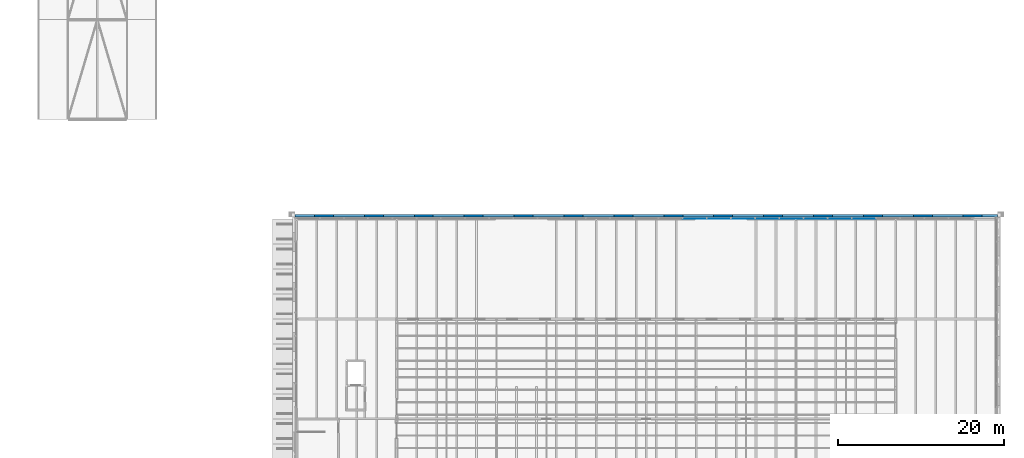
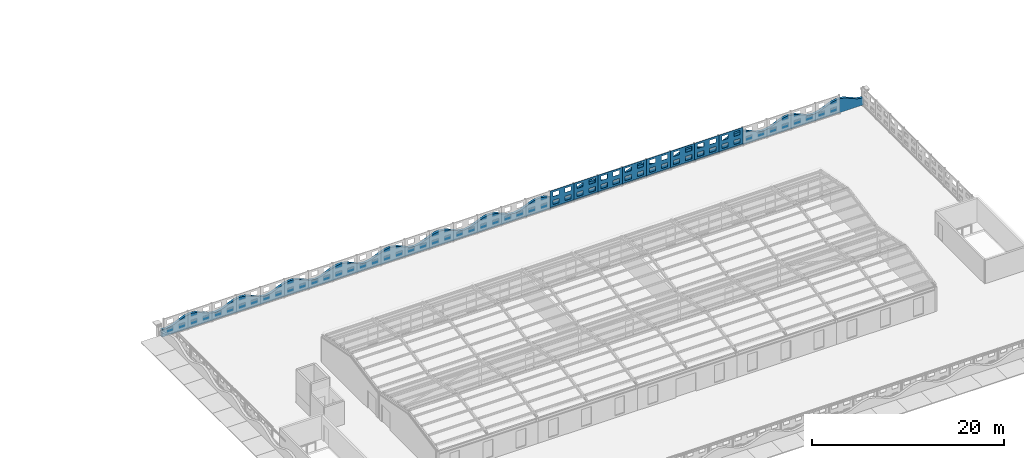
# One storey, part 61 of 91: 9 walls, 32 openings.
"""IFC4 building model written with IfcOpenShell, lengths in metres."""

import ifcopenshell
import ifcopenshell.guid

model = None  # the IFC model being written
_history = None  # IfcOwnerHistory: only IFC2X3 demands one
_inside = {}  # id of a spatial element -> (the spatial element, [elements in it])
_under = {}  # id of a project, library or spatial element -> (it, [spatial elements below it])
_declared = {}  # id of a project -> (the project, [libraries it declares])
_typed = {}  # id of a type object -> (the type object, [elements of that type])
_made_of = {}  # id of a material, layer set ... -> (it, [elements and type objects made of it])


def new_model(schema):
    """Start an empty IFC model of exactly this schema.

    Asked for "IFC4X3", IfcOpenShell would pick the latest addendum, in which some entities
    have other attributes; the version numbers below select the first issue.
    IFC2X3 requires an IfcOwnerHistory on every rooted entity: one is made here for all.
    """
    global model, _history
    if schema == "IFC4X3":
        model = ifcopenshell.file(schema_version=(4, 3, 0, 0))
    else:
        model = ifcopenshell.file(schema=schema)
    _inside.clear()
    _under.clear()
    _declared.clear()
    _typed.clear()
    _made_of.clear()
    _history = None
    if model.schema == "IFC2X3":
        org = make("IfcOrganization", Name="unknown")
        user = make(
            "IfcPersonAndOrganization",
            ThePerson=make("IfcPerson", FamilyName="unknown"),
            TheOrganization=org,
        )
        app = make(
            "IfcApplication",
            ApplicationDeveloper=org,
            Version="unknown",
            ApplicationFullName="unknown",
            ApplicationIdentifier="unknown",
        )
        _history = make(
            "IfcOwnerHistory",
            OwningUser=user,
            OwningApplication=app,
            ChangeAction="ADDED",
            CreationDate=0,
        )
    return model


def make(cls, **values):
    """One entity of the class cls with the attributes given. An attribute that is None is left unset."""
    return model.create_entity(
        cls, **{name: value for name, value in values.items() if value is not None}
    )


def rooted(cls, **values):
    """An entity with a GlobalId (a new one), such as an element, a storey or a relation."""
    return make(cls, GlobalId=ifcopenshell.guid.new(), OwnerHistory=_history, **values)


def si_unit(unit_type, name, prefix=None):
    """IfcSIUnit, for example si_unit("LENGTHUNIT", "METRE", prefix="MILLI")."""
    return make("IfcSIUnit", UnitType=unit_type, Prefix=prefix, Name=name)


def assignment(units):
    """IfcUnitAssignment: the units of a project."""
    return None if units is None else make("IfcUnitAssignment", Units=units)


def point(xyz):
    """IfcCartesianPoint."""
    return None if xyz is None else make("IfcCartesianPoint", Coordinates=xyz)


def direction(xyz):
    """IfcDirection."""
    return None if xyz is None else make("IfcDirection", DirectionRatios=xyz)


def frame(location, z_axis=None, x_axis=None):
    """IfcAxis2Placement3D, a coordinate frame: its origin and axes. An axis left out is left unset."""
    return make(
        "IfcAxis2Placement3D",
        Location=point(location),
        Axis=direction(z_axis),
        RefDirection=direction(x_axis),
    )


def frame_2d(location, x_axis=None):
    """IfcAxis2Placement2D, a coordinate frame in the plane: its origin and x axis."""
    return make(
        "IfcAxis2Placement2D", Location=point(location), RefDirection=direction(x_axis)
    )


def origin():
    """The frame at (0, 0, 0) with its axes left unset."""
    return frame((0.0, 0.0, 0.0))


def place(relative_to, where):
    """IfcLocalPlacement: puts the frame where relative to a parent placement (None: the world)."""
    return make(
        "IfcLocalPlacement", PlacementRelTo=relative_to, RelativePlacement=where
    )


def context(
    kind, dimensions, precision=None, world=None, true_north=None, identifier=None
):
    """IfcGeometricRepresentationContext, for example the 3D "Model" context."""
    return make(
        "IfcGeometricRepresentationContext",
        ContextIdentifier=identifier,
        ContextType=kind,
        CoordinateSpaceDimension=dimensions,
        Precision=precision,
        WorldCoordinateSystem=world,
        TrueNorth=true_north,
    )


def subcontext(parent, identifier, kind, view, scale=None):
    """IfcGeometricRepresentationSubContext, for example "Body" below "Model"."""
    return make(
        "IfcGeometricRepresentationSubContext",
        ContextIdentifier=identifier,
        ContextType=kind,
        ParentContext=parent,
        TargetScale=scale,
        TargetView=view,
    )


def project(units=None, contexts=None):
    """IfcProject with its units and contexts."""
    return rooted(
        "IfcProject",
        Name="project",
        RepresentationContexts=contexts,
        UnitsInContext=assignment(units),
    )


def spatial(cls, under=None, at=None, **own):
    """A site, building, storey or space (cls), placed at a placement, below another one or the project."""
    s = rooted(cls, ObjectPlacement=at, **own)
    if under is not None:
        _under.setdefault(under.id(), (under, []))[1].append(s)
    return s


def polyline(points):
    """IfcPolyline through the points."""
    return make("IfcPolyline", Points=[point(p) for p in points])


def profile(cls, at=None, kind="AREA", **sizes):
    """A parametric profile (cls). Its sizes go by their IFC names, for example OverallWidth=200.0."""
    return make(cls, ProfileType=kind, Position=at, **sizes)


def rectangle(**sizes):
    """IfcRectangleProfileDef."""
    return profile("IfcRectangleProfileDef", **sizes)


def outline(outer, holes=None, kind="AREA"):
    """IfcArbitraryClosedProfileDef: a profile drawn as a closed curve; with holes, ...WithVoids."""
    if holes is None:
        return make("IfcArbitraryClosedProfileDef", ProfileType=kind, OuterCurve=outer)
    return make(
        "IfcArbitraryProfileDefWithVoids",
        ProfileType=kind,
        OuterCurve=outer,
        InnerCurves=holes,
    )


def extrude(swept, where, along, depth):
    """IfcExtrudedAreaSolid: the profile swept, set in the frame where, extruded along a direction by depth."""
    return make(
        "IfcExtrudedAreaSolid",
        SweptArea=swept,
        Position=where,
        ExtrudedDirection=direction(along),
        Depth=depth,
    )


def shape(context_of_items, identifier, shape_type, items):
    """IfcShapeRepresentation: the items that make up one representation, for example the "Body"."""
    return make(
        "IfcShapeRepresentation",
        ContextOfItems=context_of_items,
        RepresentationIdentifier=identifier,
        RepresentationType=shape_type,
        Items=items,
    )


def material(Name=None, Category=None):
    """IfcMaterial."""
    return make("IfcMaterial", Name=Name, Category=Category)


def layer(
    of_material, thickness, ventilated=None, Name=None, Category=None, Priority=None
):
    """IfcMaterialLayer: one layer of a wall or slab, of a material (None: an air gap)."""
    return make(
        "IfcMaterialLayer",
        Material=of_material,
        LayerThickness=thickness,
        IsVentilated=ventilated,
        Name=Name,
        Category=Category,
        Priority=Priority,
    )


def layer_set(layers, Name=None):
    """IfcMaterialLayerSet."""
    return make("IfcMaterialLayerSet", MaterialLayers=layers, LayerSetName=Name)


def made_of(thing, what):
    """Note that an element or type object is made of a material, layer set ...; save() writes the relation."""
    if what is not None:
        _made_of.setdefault(what.id(), (what, []))[1].append(thing)
    return thing


def type_object(cls, material=None, **own):
    """A type object (cls), such as IfcWallType, which elements share."""
    return made_of(rooted(cls, **own), material)


def element(
    cls,
    number,
    at=None,
    inside=None,
    cuts=None,
    type_object=None,
    material=None,
    context=None,
    identifier="Body",
    shape_type=None,
    held_by="IfcProductDefinitionShape",
    body=None,
    shapes=None,
    **own,
):
    """One element of the class cls, such as IfcWall. Its Tag is "e" and its number.

    at: its placement. inside: the storey or other place that contains it. cuts: it is an
    opening in that element (IfcRelVoidsElement). A single representation is given by context,
    identifier, shape_type and body (its items); several are given by shapes. held_by: the class
    of the entity that holds the representations. save() writes the other relations.
    """
    e = rooted(cls, Tag="e%d" % number, ObjectPlacement=at, **own)
    if body is not None:
        shapes = [shape(context, identifier, shape_type, body)]
    if shapes is not None:
        e.Representation = make(held_by, Representations=shapes)
    if inside is not None:
        _inside.setdefault(inside.id(), (inside, []))[1].append(e)
    if cuts is not None:
        rooted(
            "IfcRelVoidsElement", RelatingBuildingElement=cuts, RelatedOpeningElement=e
        )
    if type_object is not None:
        _typed.setdefault(type_object.id(), (type_object, []))[1].append(e)
    return made_of(e, material)


def aggregate(whole, parts):
    """IfcRelAggregates: a whole, such as a stair, and the parts it consists of."""
    return rooted("IfcRelAggregates", RelatingObject=whole, RelatedObjects=parts)


def save(model, path):
    """Write the relations noted so far, then the file.

    IfcRelAggregates (storeys below a building ...), IfcRelContainedInSpatialStructure (elements
    in a storey), IfcRelDefinesByType, IfcRelAssociatesMaterial and IfcRelDeclares: one each for
    every whole, place, type object, material and project.
    """
    for whole, parts in _under.values():
        aggregate(whole, parts)
    for where, things in _inside.values():
        rooted(
            "IfcRelContainedInSpatialStructure",
            RelatedElements=things,
            RelatingStructure=where,
        )
    for kind, things in _typed.values():
        rooted("IfcRelDefinesByType", RelatedObjects=things, RelatingType=kind)
    for what, things in _made_of.values():
        rooted("IfcRelAssociatesMaterial", RelatedObjects=things, RelatingMaterial=what)
    for by, libraries in _declared.values():
        rooted("IfcRelDeclares", RelatingContext=by, RelatedDefinitions=libraries)
    model.write(path)


model = new_model("IFC4")

# Units and contexts
model_context = context("Model", 3, precision=1e-05, world=origin(), true_north=direction((0.0, 1.0)))
body_context = subcontext(model_context, "Body", "Model", "MODEL_VIEW")
ifc_project = project(units=[si_unit("LENGTHUNIT", "METRE"), si_unit("AREAUNIT", "SQUARE_METRE"), si_unit("VOLUMEUNIT", "CUBIC_METRE"), si_unit("PLANEANGLEUNIT", "RADIAN"), si_unit("MASSUNIT", "GRAM", prefix="KILO")], contexts=[model_context])

# Site, building, storey
site_placement = place(None, origin())
site = spatial("IfcSite", under=ifc_project, at=site_placement, CompositionType="ELEMENT")
building_placement = place(site_placement, origin())
building = spatial("IfcBuilding", under=site, at=building_placement, Name="Ravi Spectrum Wholesale Market", CompositionType="ELEMENT")
storey_placement = place(building_placement, frame((0.0, 0.0, 16.199951171875)))
storey = spatial("IfcBuildingStorey", under=building, at=storey_placement, Name="ROOF PLANT LEVEL", CompositionType="ELEMENT", Elevation=16.199951171875)

# Wall
ifc_material_1 = material(Name="Facing brickwork", Category="masonry")
ifc_layer_1 = layer(ifc_material_1, 0.300048828125)
ifc_layer_set_1 = layer_set([ifc_layer_1], Name="Facing brickwork")
wall_type_1 = type_object("IfcWallType", Name="Brick parapet 300", PredefinedType="PARAPET", material=ifc_layer_set_1)
wall_1_placement = place(storey_placement, frame((282.25, 66.39990234375, 0.0), z_axis=(0.0, 0.0, 1.0), x_axis=(-1.0, 0.0, 0.0)))
element("IfcWall", 1, at=wall_1_placement, inside=storey, type_object=wall_type_1, Name="CS-WL-ROOF-003", PredefinedType="PARAPET", context=body_context, shape_type="SweptSolid", body=[
    extrude(outline(polyline([(0.0, 0.0), (84.5, 0.0), (84.5, 0.96044921875), (84.0, 0.900146484375), (83.25, 1.03173828125), (82.5, 1.35009765625), (81.75, 1.668212890625), (81.0, 1.800048828125), (80.25, 1.668212890625), (79.5, 1.35009765625), (78.75, 1.03173828125), (78.0, 0.900146484375), (77.25, 1.03173828125), (76.5, 1.35009765625), (75.75, 1.668212890625), (75.0, 1.800048828125), (74.25, 1.668212890625), (73.5, 1.35009765625), (72.75, 1.03173828125), (72.0, 0.900146484375), (71.25, 1.03173828125), (70.5, 1.35009765625), (69.75, 1.668212890625), (69.0, 1.800048828125), (68.25, 1.668212890625), (67.5, 1.35009765625), (66.75, 1.03173828125), (66.0, 0.900146484375), (65.25, 1.03173828125), (64.5, 1.35009765625), (63.75, 1.668212890625), (63.0, 1.800048828125), (62.25, 1.668212890625), (61.5, 1.35009765625), (60.75, 1.03173828125), (60.0, 0.900146484375), (59.25, 1.03173828125), (58.5, 1.35009765625), (57.75, 1.668212890625), (57.0, 1.800048828125), (56.25, 1.668212890625), (55.5, 1.35009765625), (54.75, 1.03173828125), (54.0, 0.900146484375), (53.25, 1.03173828125), (52.5, 1.35009765625), (51.75, 1.668212890625), (51.0, 1.800048828125), (50.25, 1.668212890625), (49.5, 1.35009765625), (48.75, 1.03173828125), (48.0, 0.900146484375), (47.25, 1.03173828125), (46.5, 1.35009765625), (45.75, 1.668212890625), (45.0, 1.800048828125), (44.25, 1.668212890625), (43.5, 1.35009765625), (42.75, 1.03173828125), (42.0, 0.900146484375), (41.25, 1.03173828125), (40.5, 1.35009765625), (39.75, 1.668212890625), (39.0, 1.800048828125), (38.25, 1.668212890625), (37.5, 1.35009765625), (36.75, 1.03173828125), (36.0, 0.900146484375), (35.25, 1.03173828125), (34.5, 1.35009765625), (33.75, 1.668212890625), (33.0, 1.800048828125), (32.25, 1.668212890625), (31.5, 1.35009765625), (30.75, 1.03173828125), (30.0, 0.900146484375), (29.25, 1.03173828125), (28.5, 1.35009765625), (27.75, 1.668212890625), (27.0, 1.800048828125), (26.25, 1.668212890625), (25.5, 1.35009765625), (24.75, 1.03173828125), (24.0, 0.900146484375), (23.25, 1.03173828125), (22.5, 1.35009765625), (21.75, 1.668212890625), (21.0, 1.800048828125), (20.25, 1.668212890625), (19.5, 1.35009765625), (18.75, 1.03173828125), (18.0, 0.900146484375), (17.25, 1.03173828125), (16.5, 1.35009765625), (15.75, 1.668212890625), (15.0, 1.800048828125), (14.25, 1.668212890625), (13.5, 1.35009765625), (12.75, 1.03173828125), (12.0, 0.900146484375), (11.25, 1.03173828125), (10.5, 1.35009765625), (9.75, 1.668212890625), (9.0, 1.800048828125), (8.25, 1.668212890625), (7.5, 1.35009765625), (6.75, 1.03173828125), (6.0, 0.900146484375), (5.25, 1.03173828125), (4.5, 1.35009765625), (3.75, 1.668212890625), (3.0, 1.800048828125), (2.25, 1.668212890625), (1.5, 1.35009765625), (0.75, 1.03173828125), (0.0, 0.900146484375), (0.0, 0.0)])), frame((0.0, 0.14990234375, 0.0), z_axis=(0.0, -1.0, 0.0), x_axis=(1.0, 0.0, 0.0)), (0.0, 0.0, 1.0), 0.300048828125),
])

# Wall, openings
ifc_material_2 = material(Name="Aluminium perforated plate", Category="aluminium")
ifc_layer_2 = layer(ifc_material_2, 0.030029296875)
ifc_layer_set_2 = layer_set([ifc_layer_2], Name="Aluminium perforated plate")
wall_type_2 = type_object("IfcWallType", Name="Perforated screen panel 30", PredefinedType="SOLIDWALL", material=ifc_layer_set_2)
wall_2_placement = place(storey_placement, frame((267.615478515625, 66.05078125, 0.300048828125), z_axis=(0.0, 0.0, 1.0), x_axis=(-1.0, 0.0, 0.0)))
wall_2 = element("IfcWall", 2, at=wall_2_placement, inside=storey, type_object=wall_type_2, Name="CS-WL-ROOF-070", PredefinedType="SOLIDWALL", context=body_context, shape_type="SweptSolid", body=[
    extrude(rectangle(XDim=2.90673828125, YDim=0.030029296875, at=frame_2d((1.453369140625, 0.0))), origin(), (0.0, 0.0, 1.0), 2.10009765625),
])
opening_1_placement = place(wall_2_placement, frame((0.35009765625, 0.0, 0.25)))
element("IfcOpeningElement", 3, at=opening_1_placement, cuts=wall_2, Name="Opening CS-OP-ROOF-197", PredefinedType="OPENING", context=body_context, shape_type="SweptSolid", body=[
    extrude(rectangle(XDim=0.75341796875, YDim=0.550048828125, at=frame_2d((0.376708984375, 0.27490234375))), frame((0.0, 0.02490234375, 0.0), z_axis=(0.0, -1.0, 0.0), x_axis=(1.0, 0.0, 0.0)), (0.0, 0.0, 1.0), 0.050048828125),
])
opening_2_placement = place(wall_2_placement, frame((0.35009765625, 0.0, 1.300048828125)))
element("IfcOpeningElement", 4, at=opening_2_placement, cuts=wall_2, Name="Opening CS-OP-ROOF-198", PredefinedType="OPENING", context=body_context, shape_type="SweptSolid", body=[
    extrude(rectangle(XDim=0.75341796875, YDim=0.550048828125, at=frame_2d((0.376708984375, 0.27490234375))), frame((0.0, 0.02490234375, 0.0), z_axis=(0.0, -1.0, 0.0), x_axis=(1.0, 0.0, 0.0)), (0.0, 0.0, 1.0), 0.050048828125),
])
opening_3_placement = place(wall_2_placement, frame((1.803466796875, 0.0, 0.25)))
element("IfcOpeningElement", 5, at=opening_3_placement, cuts=wall_2, Name="Opening CS-OP-ROOF-199", PredefinedType="OPENING", context=body_context, shape_type="SweptSolid", body=[
    extrude(rectangle(XDim=0.75341796875, YDim=0.550048828125, at=frame_2d((0.376708984375, 0.27490234375))), frame((0.0, 0.02490234375, 0.0), z_axis=(0.0, -1.0, 0.0), x_axis=(1.0, 0.0, 0.0)), (0.0, 0.0, 1.0), 0.050048828125),
])
opening_4_placement = place(wall_2_placement, frame((1.803466796875, 0.0, 1.300048828125)))
element("IfcOpeningElement", 6, at=opening_4_placement, cuts=wall_2, Name="Opening CS-OP-ROOF-200", PredefinedType="OPENING", context=body_context, shape_type="SweptSolid", body=[
    extrude(rectangle(XDim=0.75341796875, YDim=0.550048828125, at=frame_2d((0.376708984375, 0.27490234375))), frame((0.0, 0.02490234375, 0.0), z_axis=(0.0, -1.0, 0.0), x_axis=(1.0, 0.0, 0.0)), (0.0, 0.0, 1.0), 0.050048828125),
])

wall_3_placement = place(storey_placement, frame((264.708740234375, 66.05078125, 0.300048828125), z_axis=(0.0, 0.0, 1.0), x_axis=(-1.0, 0.0, 0.0)))
wall_3 = element("IfcWall", 7, at=wall_3_placement, inside=storey, type_object=wall_type_2, Name="CS-WL-ROOF-071", PredefinedType="SOLIDWALL", context=body_context, shape_type="SweptSolid", body=[
    extrude(rectangle(XDim=2.906982421875, YDim=0.030029296875, at=frame_2d((1.45361328125, 0.0))), origin(), (0.0, 0.0, 1.0), 2.10009765625),
])
opening_5_placement = place(wall_3_placement, frame((0.35009765625, 0.0, 0.25)))
element("IfcOpeningElement", 8, at=opening_5_placement, cuts=wall_3, Name="Opening CS-OP-ROOF-201", PredefinedType="OPENING", context=body_context, shape_type="SweptSolid", body=[
    extrude(rectangle(XDim=0.75341796875, YDim=0.550048828125, at=frame_2d((0.376708984375, 0.27490234375))), frame((0.0, 0.02490234375, 0.0), z_axis=(0.0, -1.0, 0.0), x_axis=(1.0, 0.0, 0.0)), (0.0, 0.0, 1.0), 0.050048828125),
])
opening_6_placement = place(wall_3_placement, frame((0.35009765625, 0.0, 1.300048828125)))
element("IfcOpeningElement", 9, at=opening_6_placement, cuts=wall_3, Name="Opening CS-OP-ROOF-202", PredefinedType="OPENING", context=body_context, shape_type="SweptSolid", body=[
    extrude(rectangle(XDim=0.75341796875, YDim=0.550048828125, at=frame_2d((0.376708984375, 0.27490234375))), frame((0.0, 0.02490234375, 0.0), z_axis=(0.0, -1.0, 0.0), x_axis=(1.0, 0.0, 0.0)), (0.0, 0.0, 1.0), 0.050048828125),
])
opening_7_placement = place(wall_3_placement, frame((1.803466796875, 0.0, 0.25)))
element("IfcOpeningElement", 10, at=opening_7_placement, cuts=wall_3, Name="Opening CS-OP-ROOF-203", PredefinedType="OPENING", context=body_context, shape_type="SweptSolid", body=[
    extrude(rectangle(XDim=0.75341796875, YDim=0.550048828125, at=frame_2d((0.376708984375, 0.27490234375))), frame((0.0, 0.02490234375, 0.0), z_axis=(0.0, -1.0, 0.0), x_axis=(1.0, 0.0, 0.0)), (0.0, 0.0, 1.0), 0.050048828125),
])
opening_8_placement = place(wall_3_placement, frame((1.803466796875, 0.0, 1.300048828125)))
element("IfcOpeningElement", 11, at=opening_8_placement, cuts=wall_3, Name="Opening CS-OP-ROOF-204", PredefinedType="OPENING", context=body_context, shape_type="SweptSolid", body=[
    extrude(rectangle(XDim=0.75341796875, YDim=0.550048828125, at=frame_2d((0.376708984375, 0.27490234375))), frame((0.0, 0.02490234375, 0.0), z_axis=(0.0, -1.0, 0.0), x_axis=(1.0, 0.0, 0.0)), (0.0, 0.0, 1.0), 0.050048828125),
])

wall_4_placement = place(storey_placement, frame((261.8017578125, 66.05078125, 0.300048828125), z_axis=(0.0, 0.0, 1.0), x_axis=(-1.0, 0.0, 0.0)))
wall_4 = element("IfcWall", 12, at=wall_4_placement, inside=storey, type_object=wall_type_2, Name="CS-WL-ROOF-072", PredefinedType="SOLIDWALL", context=body_context, shape_type="SweptSolid", body=[
    extrude(rectangle(XDim=2.906982421875, YDim=0.030029296875, at=frame_2d((1.45361328125, 0.0))), origin(), (0.0, 0.0, 1.0), 2.10009765625),
])
opening_9_placement = place(wall_4_placement, frame((0.35009765625, 0.0, 0.25)))
element("IfcOpeningElement", 13, at=opening_9_placement, cuts=wall_4, Name="Opening CS-OP-ROOF-205", PredefinedType="OPENING", context=body_context, shape_type="SweptSolid", body=[
    extrude(rectangle(XDim=0.75341796875, YDim=0.550048828125, at=frame_2d((0.376708984375, 0.27490234375))), frame((0.0, 0.02490234375, 0.0), z_axis=(0.0, -1.0, 0.0), x_axis=(1.0, 0.0, 0.0)), (0.0, 0.0, 1.0), 0.050048828125),
])
opening_10_placement = place(wall_4_placement, frame((0.35009765625, 0.0, 1.300048828125)))
element("IfcOpeningElement", 14, at=opening_10_placement, cuts=wall_4, Name="Opening CS-OP-ROOF-206", PredefinedType="OPENING", context=body_context, shape_type="SweptSolid", body=[
    extrude(rectangle(XDim=0.75341796875, YDim=0.550048828125, at=frame_2d((0.376708984375, 0.27490234375))), frame((0.0, 0.02490234375, 0.0), z_axis=(0.0, -1.0, 0.0), x_axis=(1.0, 0.0, 0.0)), (0.0, 0.0, 1.0), 0.050048828125),
])
opening_11_placement = place(wall_4_placement, frame((1.803466796875, 0.0, 0.25)))
element("IfcOpeningElement", 15, at=opening_11_placement, cuts=wall_4, Name="Opening CS-OP-ROOF-207", PredefinedType="OPENING", context=body_context, shape_type="SweptSolid", body=[
    extrude(rectangle(XDim=0.75341796875, YDim=0.550048828125, at=frame_2d((0.376708984375, 0.27490234375))), frame((0.0, 0.02490234375, 0.0), z_axis=(0.0, -1.0, 0.0), x_axis=(1.0, 0.0, 0.0)), (0.0, 0.0, 1.0), 0.050048828125),
])
opening_12_placement = place(wall_4_placement, frame((1.803466796875, 0.0, 1.300048828125)))
element("IfcOpeningElement", 16, at=opening_12_placement, cuts=wall_4, Name="Opening CS-OP-ROOF-208", PredefinedType="OPENING", context=body_context, shape_type="SweptSolid", body=[
    extrude(rectangle(XDim=0.75341796875, YDim=0.550048828125, at=frame_2d((0.376708984375, 0.27490234375))), frame((0.0, 0.02490234375, 0.0), z_axis=(0.0, -1.0, 0.0), x_axis=(1.0, 0.0, 0.0)), (0.0, 0.0, 1.0), 0.050048828125),
])

wall_5_placement = place(storey_placement, frame((258.894775390625, 66.05078125, 0.300048828125), z_axis=(0.0, 0.0, 1.0), x_axis=(-1.0, 0.0, 0.0)))
wall_5 = element("IfcWall", 17, at=wall_5_placement, inside=storey, type_object=wall_type_2, Name="CS-WL-ROOF-073", PredefinedType="SOLIDWALL", context=body_context, shape_type="SweptSolid", body=[
    extrude(rectangle(XDim=2.90673828125, YDim=0.030029296875, at=frame_2d((1.453369140625, 0.0))), origin(), (0.0, 0.0, 1.0), 2.10009765625),
])
opening_13_placement = place(wall_5_placement, frame((0.35009765625, 0.0, 0.25)))
element("IfcOpeningElement", 18, at=opening_13_placement, cuts=wall_5, Name="Opening CS-OP-ROOF-209", PredefinedType="OPENING", context=body_context, shape_type="SweptSolid", body=[
    extrude(rectangle(XDim=0.75341796875, YDim=0.550048828125, at=frame_2d((0.376708984375, 0.27490234375))), frame((0.0, 0.02490234375, 0.0), z_axis=(0.0, -1.0, 0.0), x_axis=(1.0, 0.0, 0.0)), (0.0, 0.0, 1.0), 0.050048828125),
])
opening_14_placement = place(wall_5_placement, frame((0.35009765625, 0.0, 1.300048828125)))
element("IfcOpeningElement", 19, at=opening_14_placement, cuts=wall_5, Name="Opening CS-OP-ROOF-210", PredefinedType="OPENING", context=body_context, shape_type="SweptSolid", body=[
    extrude(rectangle(XDim=0.75341796875, YDim=0.550048828125, at=frame_2d((0.376708984375, 0.27490234375))), frame((0.0, 0.02490234375, 0.0), z_axis=(0.0, -1.0, 0.0), x_axis=(1.0, 0.0, 0.0)), (0.0, 0.0, 1.0), 0.050048828125),
])
opening_15_placement = place(wall_5_placement, frame((1.803466796875, 0.0, 0.25)))
element("IfcOpeningElement", 20, at=opening_15_placement, cuts=wall_5, Name="Opening CS-OP-ROOF-211", PredefinedType="OPENING", context=body_context, shape_type="SweptSolid", body=[
    extrude(rectangle(XDim=0.75341796875, YDim=0.550048828125, at=frame_2d((0.376708984375, 0.27490234375))), frame((0.0, 0.02490234375, 0.0), z_axis=(0.0, -1.0, 0.0), x_axis=(1.0, 0.0, 0.0)), (0.0, 0.0, 1.0), 0.050048828125),
])
opening_16_placement = place(wall_5_placement, frame((1.803466796875, 0.0, 1.300048828125)))
element("IfcOpeningElement", 21, at=opening_16_placement, cuts=wall_5, Name="Opening CS-OP-ROOF-212", PredefinedType="OPENING", context=body_context, shape_type="SweptSolid", body=[
    extrude(rectangle(XDim=0.75341796875, YDim=0.550048828125, at=frame_2d((0.376708984375, 0.27490234375))), frame((0.0, 0.02490234375, 0.0), z_axis=(0.0, -1.0, 0.0), x_axis=(1.0, 0.0, 0.0)), (0.0, 0.0, 1.0), 0.050048828125),
])

wall_6_placement = place(storey_placement, frame((255.988037109375, 66.05078125, 0.300048828125), z_axis=(0.0, 0.0, 1.0), x_axis=(-1.0, 0.0, 0.0)))
wall_6 = element("IfcWall", 22, at=wall_6_placement, inside=storey, type_object=wall_type_2, Name="CS-WL-ROOF-074", PredefinedType="SOLIDWALL", context=body_context, shape_type="SweptSolid", body=[
    extrude(rectangle(XDim=2.906982421875, YDim=0.030029296875, at=frame_2d((1.45361328125, 0.0))), origin(), (0.0, 0.0, 1.0), 2.10009765625),
])
opening_17_placement = place(wall_6_placement, frame((0.35009765625, 0.0, 0.25)))
element("IfcOpeningElement", 23, at=opening_17_placement, cuts=wall_6, Name="Opening CS-OP-ROOF-213", PredefinedType="OPENING", context=body_context, shape_type="SweptSolid", body=[
    extrude(rectangle(XDim=0.75341796875, YDim=0.550048828125, at=frame_2d((0.376708984375, 0.27490234375))), frame((0.0, 0.02490234375, 0.0), z_axis=(0.0, -1.0, 0.0), x_axis=(1.0, 0.0, 0.0)), (0.0, 0.0, 1.0), 0.050048828125),
])
opening_18_placement = place(wall_6_placement, frame((0.35009765625, 0.0, 1.300048828125)))
element("IfcOpeningElement", 24, at=opening_18_placement, cuts=wall_6, Name="Opening CS-OP-ROOF-214", PredefinedType="OPENING", context=body_context, shape_type="SweptSolid", body=[
    extrude(rectangle(XDim=0.75341796875, YDim=0.550048828125, at=frame_2d((0.376708984375, 0.27490234375))), frame((0.0, 0.02490234375, 0.0), z_axis=(0.0, -1.0, 0.0), x_axis=(1.0, 0.0, 0.0)), (0.0, 0.0, 1.0), 0.050048828125),
])
opening_19_placement = place(wall_6_placement, frame((1.803466796875, 0.0, 0.25)))
element("IfcOpeningElement", 25, at=opening_19_placement, cuts=wall_6, Name="Opening CS-OP-ROOF-215", PredefinedType="OPENING", context=body_context, shape_type="SweptSolid", body=[
    extrude(rectangle(XDim=0.75341796875, YDim=0.550048828125, at=frame_2d((0.376708984375, 0.27490234375))), frame((0.0, 0.02490234375, 0.0), z_axis=(0.0, -1.0, 0.0), x_axis=(1.0, 0.0, 0.0)), (0.0, 0.0, 1.0), 0.050048828125),
])
opening_20_placement = place(wall_6_placement, frame((1.803466796875, 0.0, 1.300048828125)))
element("IfcOpeningElement", 26, at=opening_20_placement, cuts=wall_6, Name="Opening CS-OP-ROOF-216", PredefinedType="OPENING", context=body_context, shape_type="SweptSolid", body=[
    extrude(rectangle(XDim=0.75341796875, YDim=0.550048828125, at=frame_2d((0.376708984375, 0.27490234375))), frame((0.0, 0.02490234375, 0.0), z_axis=(0.0, -1.0, 0.0), x_axis=(1.0, 0.0, 0.0)), (0.0, 0.0, 1.0), 0.050048828125),
])

wall_7_placement = place(storey_placement, frame((253.0810546875, 66.05078125, 0.300048828125), z_axis=(0.0, 0.0, 1.0), x_axis=(-1.0, 0.0, 0.0)))
wall_7 = element("IfcWall", 27, at=wall_7_placement, inside=storey, type_object=wall_type_2, Name="CS-WL-ROOF-075", PredefinedType="SOLIDWALL", context=body_context, shape_type="SweptSolid", body=[
    extrude(rectangle(XDim=2.906982421875, YDim=0.030029296875, at=frame_2d((1.45361328125, 0.0))), origin(), (0.0, 0.0, 1.0), 2.10009765625),
])
opening_21_placement = place(wall_7_placement, frame((0.35009765625, 0.0, 0.25)))
element("IfcOpeningElement", 28, at=opening_21_placement, cuts=wall_7, Name="Opening CS-OP-ROOF-217", PredefinedType="OPENING", context=body_context, shape_type="SweptSolid", body=[
    extrude(rectangle(XDim=0.75341796875, YDim=0.550048828125, at=frame_2d((0.376708984375, 0.27490234375))), frame((0.0, 0.02490234375, 0.0), z_axis=(0.0, -1.0, 0.0), x_axis=(1.0, 0.0, 0.0)), (0.0, 0.0, 1.0), 0.050048828125),
])
opening_22_placement = place(wall_7_placement, frame((0.35009765625, 0.0, 1.300048828125)))
element("IfcOpeningElement", 29, at=opening_22_placement, cuts=wall_7, Name="Opening CS-OP-ROOF-218", PredefinedType="OPENING", context=body_context, shape_type="SweptSolid", body=[
    extrude(rectangle(XDim=0.75341796875, YDim=0.550048828125, at=frame_2d((0.376708984375, 0.27490234375))), frame((0.0, 0.02490234375, 0.0), z_axis=(0.0, -1.0, 0.0), x_axis=(1.0, 0.0, 0.0)), (0.0, 0.0, 1.0), 0.050048828125),
])
opening_23_placement = place(wall_7_placement, frame((1.803466796875, 0.0, 0.25)))
element("IfcOpeningElement", 30, at=opening_23_placement, cuts=wall_7, Name="Opening CS-OP-ROOF-219", PredefinedType="OPENING", context=body_context, shape_type="SweptSolid", body=[
    extrude(rectangle(XDim=0.75341796875, YDim=0.550048828125, at=frame_2d((0.376708984375, 0.27490234375))), frame((0.0, 0.02490234375, 0.0), z_axis=(0.0, -1.0, 0.0), x_axis=(1.0, 0.0, 0.0)), (0.0, 0.0, 1.0), 0.050048828125),
])
opening_24_placement = place(wall_7_placement, frame((1.803466796875, 0.0, 1.300048828125)))
element("IfcOpeningElement", 31, at=opening_24_placement, cuts=wall_7, Name="Opening CS-OP-ROOF-220", PredefinedType="OPENING", context=body_context, shape_type="SweptSolid", body=[
    extrude(rectangle(XDim=0.75341796875, YDim=0.550048828125, at=frame_2d((0.376708984375, 0.27490234375))), frame((0.0, 0.02490234375, 0.0), z_axis=(0.0, -1.0, 0.0), x_axis=(1.0, 0.0, 0.0)), (0.0, 0.0, 1.0), 0.050048828125),
])

wall_8_placement = place(storey_placement, frame((250.174072265625, 66.05078125, 0.300048828125), z_axis=(0.0, 0.0, 1.0), x_axis=(-1.0, 0.0, 0.0)))
wall_8 = element("IfcWall", 32, at=wall_8_placement, inside=storey, type_object=wall_type_2, Name="CS-WL-ROOF-076", PredefinedType="SOLIDWALL", context=body_context, shape_type="SweptSolid", body=[
    extrude(rectangle(XDim=2.90673828125, YDim=0.030029296875, at=frame_2d((1.453369140625, 0.0))), origin(), (0.0, 0.0, 1.0), 2.10009765625),
])
opening_25_placement = place(wall_8_placement, frame((0.35009765625, 0.0, 0.25)))
element("IfcOpeningElement", 33, at=opening_25_placement, cuts=wall_8, Name="Opening CS-OP-ROOF-221", PredefinedType="OPENING", context=body_context, shape_type="SweptSolid", body=[
    extrude(rectangle(XDim=0.75341796875, YDim=0.550048828125, at=frame_2d((0.376708984375, 0.27490234375))), frame((0.0, 0.02490234375, 0.0), z_axis=(0.0, -1.0, 0.0), x_axis=(1.0, 0.0, 0.0)), (0.0, 0.0, 1.0), 0.050048828125),
])
opening_26_placement = place(wall_8_placement, frame((0.35009765625, 0.0, 1.300048828125)))
element("IfcOpeningElement", 34, at=opening_26_placement, cuts=wall_8, Name="Opening CS-OP-ROOF-222", PredefinedType="OPENING", context=body_context, shape_type="SweptSolid", body=[
    extrude(rectangle(XDim=0.75341796875, YDim=0.550048828125, at=frame_2d((0.376708984375, 0.27490234375))), frame((0.0, 0.02490234375, 0.0), z_axis=(0.0, -1.0, 0.0), x_axis=(1.0, 0.0, 0.0)), (0.0, 0.0, 1.0), 0.050048828125),
])
opening_27_placement = place(wall_8_placement, frame((1.803466796875, 0.0, 0.25)))
element("IfcOpeningElement", 35, at=opening_27_placement, cuts=wall_8, Name="Opening CS-OP-ROOF-223", PredefinedType="OPENING", context=body_context, shape_type="SweptSolid", body=[
    extrude(rectangle(XDim=0.75341796875, YDim=0.550048828125, at=frame_2d((0.376708984375, 0.27490234375))), frame((0.0, 0.02490234375, 0.0), z_axis=(0.0, -1.0, 0.0), x_axis=(1.0, 0.0, 0.0)), (0.0, 0.0, 1.0), 0.050048828125),
])
opening_28_placement = place(wall_8_placement, frame((1.803466796875, 0.0, 1.300048828125)))
element("IfcOpeningElement", 36, at=opening_28_placement, cuts=wall_8, Name="Opening CS-OP-ROOF-224", PredefinedType="OPENING", context=body_context, shape_type="SweptSolid", body=[
    extrude(rectangle(XDim=0.75341796875, YDim=0.550048828125, at=frame_2d((0.376708984375, 0.27490234375))), frame((0.0, 0.02490234375, 0.0), z_axis=(0.0, -1.0, 0.0), x_axis=(1.0, 0.0, 0.0)), (0.0, 0.0, 1.0), 0.050048828125),
])

wall_9_placement = place(storey_placement, frame((247.267333984375, 66.05078125, 0.300048828125), z_axis=(0.0, 0.0, 1.0), x_axis=(-1.0, 0.0, 0.0)))
wall_9 = element("IfcWall", 37, at=wall_9_placement, inside=storey, type_object=wall_type_2, Name="CS-WL-ROOF-077", PredefinedType="SOLIDWALL", context=body_context, shape_type="SweptSolid", body=[
    extrude(rectangle(XDim=2.906982421875, YDim=0.030029296875, at=frame_2d((1.45361328125, 0.0))), origin(), (0.0, 0.0, 1.0), 2.10009765625),
])
opening_29_placement = place(wall_9_placement, frame((0.35009765625, 0.0, 0.25)))
element("IfcOpeningElement", 38, at=opening_29_placement, cuts=wall_9, Name="Opening CS-OP-ROOF-225", PredefinedType="OPENING", context=body_context, shape_type="SweptSolid", body=[
    extrude(rectangle(XDim=0.75341796875, YDim=0.550048828125, at=frame_2d((0.376708984375, 0.27490234375))), frame((0.0, 0.02490234375, 0.0), z_axis=(0.0, -1.0, 0.0), x_axis=(1.0, 0.0, 0.0)), (0.0, 0.0, 1.0), 0.050048828125),
])
opening_30_placement = place(wall_9_placement, frame((0.35009765625, 0.0, 1.300048828125)))
element("IfcOpeningElement", 39, at=opening_30_placement, cuts=wall_9, Name="Opening CS-OP-ROOF-226", PredefinedType="OPENING", context=body_context, shape_type="SweptSolid", body=[
    extrude(rectangle(XDim=0.75341796875, YDim=0.550048828125, at=frame_2d((0.376708984375, 0.27490234375))), frame((0.0, 0.02490234375, 0.0), z_axis=(0.0, -1.0, 0.0), x_axis=(1.0, 0.0, 0.0)), (0.0, 0.0, 1.0), 0.050048828125),
])
opening_31_placement = place(wall_9_placement, frame((1.803466796875, 0.0, 0.25)))
element("IfcOpeningElement", 40, at=opening_31_placement, cuts=wall_9, Name="Opening CS-OP-ROOF-227", PredefinedType="OPENING", context=body_context, shape_type="SweptSolid", body=[
    extrude(rectangle(XDim=0.75341796875, YDim=0.550048828125, at=frame_2d((0.376708984375, 0.27490234375))), frame((0.0, 0.02490234375, 0.0), z_axis=(0.0, -1.0, 0.0), x_axis=(1.0, 0.0, 0.0)), (0.0, 0.0, 1.0), 0.050048828125),
])
opening_32_placement = place(wall_9_placement, frame((1.803466796875, 0.0, 1.300048828125)))
element("IfcOpeningElement", 41, at=opening_32_placement, cuts=wall_9, Name="Opening CS-OP-ROOF-228", PredefinedType="OPENING", context=body_context, shape_type="SweptSolid", body=[
    extrude(rectangle(XDim=0.75341796875, YDim=0.550048828125, at=frame_2d((0.376708984375, 0.27490234375))), frame((0.0, 0.02490234375, 0.0), z_axis=(0.0, -1.0, 0.0), x_axis=(1.0, 0.0, 0.0)), (0.0, 0.0, 1.0), 0.050048828125),
])

save(model, "model.ifc")
